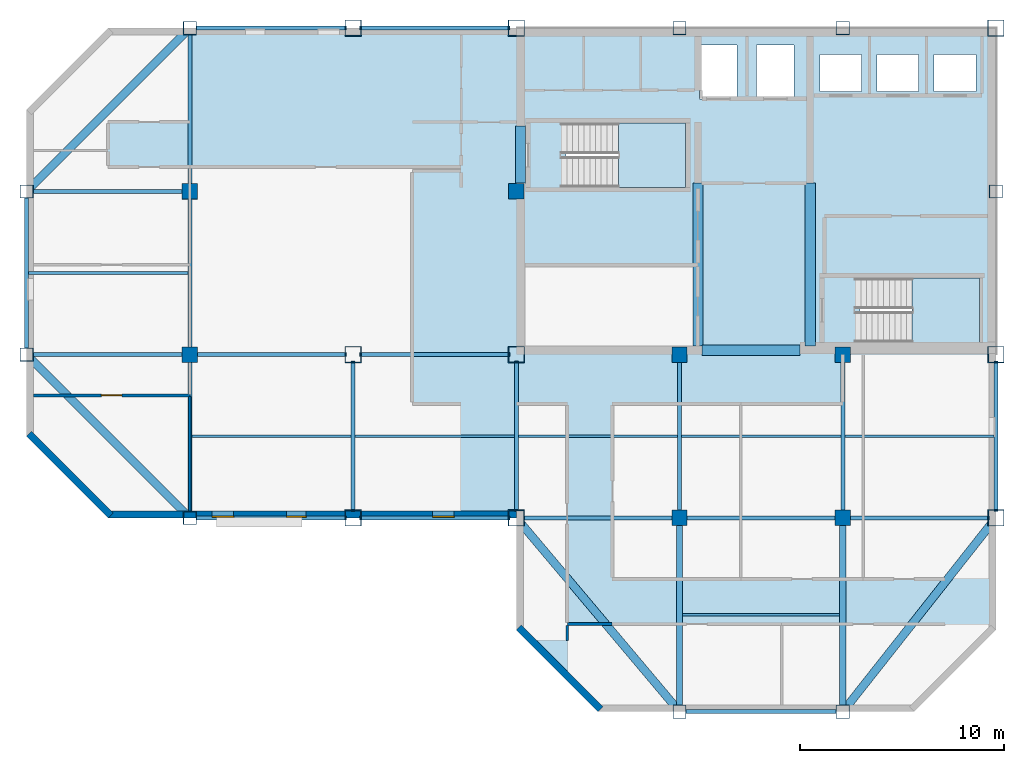
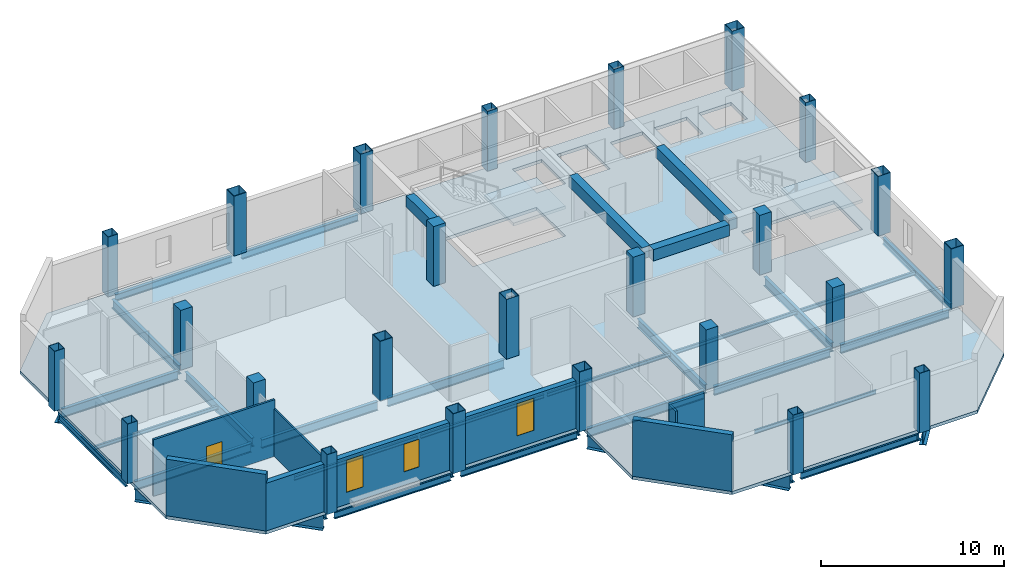
# One storey, part 1 of 7: 38 beams, 25 columns, 7 walls, 3 slabs, 3 windows, 1 door, 4 openings, 2 elements without a shape of their own.
"""IFC4 building model written with IfcOpenShell, lengths in metres."""

from ifc_helpers import new_model, si_unit, direction, frame, frame_2d, origin, origin_2d, place, context, subcontext, project, spatial, polyline, rectangle, hollow_rectangle, i_section, outline, extrude, material, layer, layer_set, material_profile, profile_set, type_object, element, fill, aggregate, save


model = new_model("IFC4")

# Units and contexts
model_context = context("Model", 3, precision=1e-05, world=origin(), true_north=direction((0.0, 1.0)))
body_context = subcontext(model_context, "Body", "Model", "MODEL_VIEW")
ifc_project = project(units=[si_unit("LENGTHUNIT", "METRE"), si_unit("AREAUNIT", "SQUARE_METRE"), si_unit("VOLUMEUNIT", "CUBIC_METRE"), si_unit("PLANEANGLEUNIT", "RADIAN"), si_unit("MASSUNIT", "GRAM", prefix="KILO")], contexts=[model_context])

# Site, building, storey
site_placement = place(None, origin())
site = spatial("IfcSite", under=ifc_project, at=site_placement, CompositionType="ELEMENT")
building_placement = place(site_placement, origin())
building = spatial("IfcBuilding", under=site, at=building_placement, Name="Qianrong Seaharbour Tower", CompositionType="ELEMENT")
storey_placement = place(building_placement, frame((0.0, 0.0, 335.199951171875)))
storey = spatial("IfcBuildingStorey", under=building, at=storey_placement, Name="L81", CompositionType="ELEMENT", Elevation=335.199951171875)

# Columns
ifc_material_1 = material(Name="Structural steel SN490B", Category="steel")
ifc_material_profile_1 = material_profile(ifc_material_1, hollow_rectangle(XDim=0.800048828125, YDim=0.800048828125, WallThickness=0.031982421875, at=origin_2d()), Name="BOX800x800x32")
ifc_profile_set_1 = profile_set([ifc_material_profile_1], Name="Structural steel SN490B")
column_type_1 = type_object("IfcColumnType", Name="COL-CFT-800", PredefinedType="COLUMN", material=ifc_profile_set_1)
for number, where, z_axis, x_axis, name in (
    (1, (32.5, 28.0, 0.0), (0.0, 0.0, 1.0), (1.0, 0.0, 0.0), "L81 Column MC-5 at G5/GE"),
    (2, (32.5, 36.0, 0.0), (0.0, 0.0, 1.0), (1.0, 0.0, 0.0), "L81 Column MC-5 at G5/GF"),
    (3, (32.5, 52.0, 0.0), (0.0, 0.0, 1.0), (1.0, 0.0, 0.0), "L81 Column MC-5 at G5/GH"),
    (4, (40.5, 28.0, 0.0), (0.0, 0.0, 1.0), (1.0, 0.0, 0.0), "L81 Column MC-5 at G6/GE"),
    (5, (40.5, 36.0, 0.0), (0.0, 0.0, 1.0), (1.0, 0.0, 0.0), "L81 Column MC-5 at G6/GF"),
    (6, (40.5, 52.0, 0.0), (0.0, 0.0, 1.0), (1.0, 0.0, 0.0), "L81 Column MC-5 at G6/GH"),
    (7, (64.0, 28.0, 0.0), (0.0, 0.0, 1.0), (1.0, 0.0, 0.0), "L81 Column MC-5 at G9/GE"),
    (8, (64.0, 36.0, 0.0), (0.0, 0.0, 1.0), (1.0, 0.0, 0.0), "L81 Column MC-5 at G9/GF"),
    (9, (64.0, 52.0, 0.0), (0.0, 0.0, 1.0), (1.0, 0.0, 0.0), "L81 Column MC-5 at G9/GH"),
):
    element("IfcColumn", number, at=place(storey_placement, frame(where, z_axis=z_axis, x_axis=x_axis)), inside=storey, type_object=column_type_1, Name=name, PredefinedType="COLUMN", context=body_context, shape_type="SweptSolid", body=[
        extrude(hollow_rectangle(XDim=0.800048828125, YDim=0.800048828125, WallThickness=0.031982421875, at=origin_2d()), origin(), (0.0, 0.0, 1.0), 4.0),
    ])
ifc_material_2 = material(Name="Concrete C50/60", Category="concrete")
ifc_material_profile_2 = material_profile(ifc_material_2, rectangle(XDim=0.75, YDim=0.75, at=origin_2d()), Name="RC750x750")
ifc_profile_set_2 = profile_set([ifc_material_profile_2], Name="Concrete C50/60")
column_type_2 = type_object("IfcColumnType", Name="COL-INT-RC750", PredefinedType="COLUMN", material=ifc_profile_set_2)
for number, where, z_axis, x_axis, name in (
    (10, (24.5, 36.0, 0.0), (0.0, 0.0, 1.0), (1.0, 0.0, 0.0), "L81 Column IC-4 at G4/GF"),
    (11, (24.5, 44.0, 0.0), (0.0, 0.0, 1.0), (1.0, 0.0, 0.0), "L81 Column IC-4 at G4/GG"),
    (12, (40.5, 44.0, 0.0), (0.0, 0.0, 1.0), (1.0, 0.0, 0.0), "L81 Column IC-4 at G6/GG"),
    (13, (48.5, 28.0, 0.0), (0.0, 0.0, 1.0), (1.0, 0.0, 0.0), "L81 Column IC-4 at G7/GE"),
    (14, (48.5, 36.0, 0.0), (0.0, 0.0, 1.0), (1.0, 0.0, 0.0), "L81 Column IC-4 at G7/GF"),
    (15, (56.5, 28.0, 0.0), (0.0, 0.0, 1.0), (1.0, 0.0, 0.0), "L81 Column IC-4 at G8/GE"),
    (16, (56.5, 36.0, 0.0), (0.0, 0.0, 1.0), (1.0, 0.0, 0.0), "L81 Column IC-4 at G8/GF"),
):
    element("IfcColumn", number, at=place(storey_placement, frame(where, z_axis=z_axis, x_axis=x_axis)), inside=storey, type_object=column_type_2, Name=name, PredefinedType="COLUMN", context=body_context, shape_type="SweptSolid", body=[
        extrude(rectangle(XDim=0.75, YDim=0.75, at=origin_2d()), origin(), (0.0, 0.0, 1.0), 4.0),
    ])
ifc_material_3 = material(Name="Structural steel SN400B", Category="steel")
ifc_material_profile_3 = material_profile(ifc_material_3, hollow_rectangle(XDim=0.64990234375, YDim=0.64990234375, WallThickness=0.028076171875, at=origin_2d()), Name="BOX650x650x28")
ifc_profile_set_3 = profile_set([ifc_material_profile_3], Name="Structural steel SN400B")
column_type_3 = type_object("IfcColumnType", Name="COL-PER-650", PredefinedType="COLUMN", material=ifc_profile_set_3)
for number, where, z_axis, x_axis, name in (
    (17, (16.5, 36.0, 0.0), (0.0, 0.0, 1.0), (1.0, 0.0, 0.0), "L81 Column PC-4 at G3/GF"),
    (18, (16.5, 44.0, 0.0), (0.0, 0.0, 1.0), (1.0, 0.0, 0.0), "L81 Column PC-4 at G3/GG"),
    (19, (24.5, 28.0, 0.0), (0.0, 0.0, 1.0), (1.0, 0.0, 0.0), "L81 Column PC-4 at G4/GE"),
    (20, (24.5, 52.0, 0.0), (0.0, 0.0, 1.0), (1.0, 0.0, 0.0), "L81 Column PC-4 at G4/GH"),
    (21, (48.5, 18.5, 0.0), (0.0, 0.0, 1.0), (1.0, 0.0, 0.0), "L81 Column PC-4 at G7/GD"),
    (22, (48.5, 52.0, 0.0), (0.0, 0.0, 1.0), (1.0, 0.0, 0.0), "L81 Column PC-4 at G7/GH"),
    (23, (56.5, 18.5, 0.0), (0.0, 0.0, 1.0), (1.0, 0.0, 0.0), "L81 Column PC-4 at G8/GD"),
    (24, (56.5, 52.0, 0.0), (0.0, 0.0, 1.0), (1.0, 0.0, 0.0), "L81 Column PC-4 at G8/GH"),
    (25, (64.0, 44.0, 0.0), (0.0, 0.0, 1.0), (1.0, 0.0, 0.0), "L81 Column PC-4 at G9/GG"),
):
    element("IfcColumn", number, at=place(storey_placement, frame(where, z_axis=z_axis, x_axis=x_axis)), inside=storey, type_object=column_type_3, Name=name, PredefinedType="COLUMN", context=body_context, shape_type="SweptSolid", body=[
        extrude(hollow_rectangle(XDim=0.64990234375, YDim=0.64990234375, WallThickness=0.028076171875, at=origin_2d()), origin(), (0.0, 0.0, 1.0), 4.0),
    ])

# Beams
ifc_material_profile_4 = material_profile(ifc_material_1, i_section(OverallWidth=0.199951171875, OverallDepth=0.60009765625, WebThickness=0.010986328125, FlangeThickness=0.01708984375, FilletRadius=0.02197265625, at=origin_2d()), Name="H600x200x11x17")
ifc_profile_set_4 = profile_set([ifc_material_profile_4], Name="Structural steel SN490B")
beam_type_1 = type_object("IfcBeamType", Name="BM-G-600", PredefinedType="BEAM", material=ifc_profile_set_4)
for number, where, z_axis, x_axis, name in (
    (26, (40.820068359375, 28.0, -0.514892578125), (1.0, 0.0, 0.0), (0.0, 1.0, 0.0), "L81 Primary Girder GE G6-G7"),
    (27, (48.820068359375, 28.0, -0.514892578125), (1.0, 0.0, 0.0), (0.0, 1.0, 0.0), "L81 Primary Girder GE G7-G8"),
):
    element("IfcBeam", number, at=place(storey_placement, frame(where, z_axis=z_axis, x_axis=x_axis)), inside=storey, type_object=beam_type_1, Name=name, PredefinedType="BEAM", context=body_context, shape_type="SweptSolid", body=[
        extrude(i_section(OverallWidth=0.199951171875, OverallDepth=0.60009765625, WebThickness=0.010986328125, FlangeThickness=0.01708984375, FilletRadius=0.02197265625, at=origin_2d()), origin(), (0.0, 0.0, 1.0), 7.35986328125),
    ])
beam_1_placement = place(storey_placement, frame((56.820068359375, 28.0, -0.514892578125), z_axis=(1.0, 0.0, 0.0), x_axis=(0.0, 1.0, 0.0)))
element("IfcBeam", 28, at=beam_1_placement, inside=storey, type_object=beam_type_1, Name="L81 Primary Girder GE G8-G9", PredefinedType="BEAM", context=body_context, shape_type="SweptSolid", body=[
    extrude(i_section(OverallWidth=0.199951171875, OverallDepth=0.60009765625, WebThickness=0.010986328125, FlangeThickness=0.01708984375, FilletRadius=0.02197265625, at=origin_2d()), origin(), (0.0, 0.0, 1.0), 6.85986328125),
])
for number, where, z_axis, x_axis, name in (
    (29, (16.820068359375, 36.0, -0.514892578125), (1.0, 0.0, 0.0), (0.0, 1.0, 0.0), "L81 Primary Girder GF G3-G4"),
    (30, (24.820068359375, 36.0, -0.514892578125), (1.0, 0.0, 0.0), (0.0, 1.0, 0.0), "L81 Primary Girder GF G4-G5"),
    (31, (32.820068359375, 36.0, -0.514892578125), (1.0, 0.0, 0.0), (0.0, 1.0, 0.0), "L81 Primary Girder GF G5-G6"),
    (32, (16.820068359375, 44.0, -0.514892578125), (1.0, 0.0, 0.0), (0.0, 1.0, 0.0), "L81 Primary Girder GG G3-G4"),
    (33, (24.5, 28.320068359375, -0.514892578125), (0.0, 1.0, 0.0), (-1.0, 0.0, 0.0), "L81 Primary Girder G4 GE-GF"),
    (34, (24.5, 36.320068359375, -0.514892578125), (0.0, 1.0, 0.0), (-1.0, 0.0, 0.0), "L81 Primary Girder G4 GF-GG"),
    (35, (24.5, 44.320068359375, -0.514892578125), (0.0, 1.0, 0.0), (-1.0, 0.0, 0.0), "L81 Primary Girder G4 GG-GH"),
    (36, (32.5, 28.320068359375, -0.514892578125), (0.0, 1.0, 0.0), (-1.0, 0.0, 0.0), "L81 Primary Girder G5 GE-GF"),
    (37, (40.5, 28.320068359375, -0.514892578125), (0.0, 1.0, 0.0), (-1.0, 0.0, 0.0), "L81 Primary Girder G6 GE-GF"),
    (38, (48.5, 28.320068359375, -0.514892578125), (0.0, 1.0, 0.0), (-1.0, 0.0, 0.0), "L81 Primary Girder G7 GE-GF"),
    (39, (56.5, 28.320068359375, -0.514892578125), (0.0, 1.0, 0.0), (-1.0, 0.0, 0.0), "L81 Primary Girder G8 GE-GF"),
):
    element("IfcBeam", number, at=place(storey_placement, frame(where, z_axis=z_axis, x_axis=x_axis)), inside=storey, type_object=beam_type_1, Name=name, PredefinedType="BEAM", context=body_context, shape_type="SweptSolid", body=[
        extrude(i_section(OverallWidth=0.199951171875, OverallDepth=0.60009765625, WebThickness=0.010986328125, FlangeThickness=0.01708984375, FilletRadius=0.02197265625, at=origin_2d()), origin(), (0.0, 0.0, 1.0), 7.35986328125),
    ])
ifc_material_profile_5 = material_profile(ifc_material_1, i_section(OverallWidth=0.300048828125, OverallDepth=0.800048828125, WebThickness=0.013916015625, FlangeThickness=0.02587890625, FilletRadius=0.028076171875, at=origin_2d()), Name="H800x300x14x26")
ifc_profile_set_5 = profile_set([ifc_material_profile_5], Name="Structural steel SN490B")
beam_type_2 = type_object("IfcBeamType", Name="BM-G-800", PredefinedType="BEAM", material=ifc_profile_set_5)
for number, where, z_axis, x_axis, name in (
    (40, (48.5, 18.820068359375, -0.614990234375), (0.0, 1.0, 0.0), (-1.0, 0.0, 0.0), "L81 Primary Girder G7 GD-GE"),
    (41, (56.5, 18.820068359375, -0.614990234375), (0.0, 1.0, 0.0), (-1.0, 0.0, 0.0), "L81 Primary Girder G8 GD-GE"),
):
    element("IfcBeam", number, at=place(storey_placement, frame(where, z_axis=z_axis, x_axis=x_axis)), inside=storey, type_object=beam_type_2, Name=name, PredefinedType="BEAM", context=body_context, shape_type="SweptSolid", body=[
        extrude(i_section(OverallWidth=0.300048828125, OverallDepth=0.800048828125, WebThickness=0.013916015625, FlangeThickness=0.02587890625, FilletRadius=0.028076171875, at=origin_2d()), origin(), (0.0, 0.0, 1.0), 8.85986328125),
    ])
ifc_material_profile_6 = material_profile(ifc_material_3, i_section(OverallWidth=0.125, OverallDepth=0.25, WebThickness=0.006103515625, FlangeThickness=0.009033203125, FilletRadius=0.011962890625, at=origin_2d()), Name="H250x125x6x9")
ifc_profile_set_6 = profile_set([ifc_material_profile_6], Name="Structural steel SN400B")
beam_type_3 = type_object("IfcBeamType", Name="BM-J-250", PredefinedType="JOIST", material=ifc_profile_set_6)
for number, where, z_axis, x_axis, name in (
    (42, (16.60009765625, 40.0, -0.33984375), (1.0, 0.0, 0.0), (0.0, 1.0, 0.0), "L81 Composite Floor Joist G3-G4/GF-GG"),
    (43, (24.60009765625, 32.0, -0.33984375), (1.0, 0.0, 0.0), (0.0, 1.0, 0.0), "L81 Composite Floor Joist G4-G5/GE-GF"),
    (44, (32.60009765625, 32.0, -0.33984375), (1.0, 0.0, 0.0), (0.0, 1.0, 0.0), "L81 Composite Floor Joist G5-G6/GE-GF"),
    (45, (40.60009765625, 32.0, -0.33984375), (1.0, 0.0, 0.0), (0.0, 1.0, 0.0), "L81 Composite Floor Joist G6-G7/GE-GF"),
):
    element("IfcBeam", number, at=place(storey_placement, frame(where, z_axis=z_axis, x_axis=x_axis)), inside=storey, type_object=beam_type_3, Name=name, PredefinedType="JOIST", context=body_context, shape_type="SweptSolid", body=[
        extrude(i_section(OverallWidth=0.125, OverallDepth=0.25, WebThickness=0.006103515625, FlangeThickness=0.009033203125, FilletRadius=0.011962890625, at=origin_2d()), origin(), (0.0, 0.0, 1.0), 7.7998046875),
    ])
beam_2_placement = place(storey_placement, frame((48.64990234375, 23.25, -0.33984375), z_axis=(1.0, 0.0, 0.0), x_axis=(0.0, 1.0, 0.0)))
element("IfcBeam", 46, at=beam_2_placement, inside=storey, type_object=beam_type_3, Name="L81 Composite Floor Joist G7-G8/GD-GE", PredefinedType="JOIST", context=body_context, shape_type="SweptSolid", body=[
    extrude(i_section(OverallWidth=0.125, OverallDepth=0.25, WebThickness=0.006103515625, FlangeThickness=0.009033203125, FilletRadius=0.011962890625, at=origin_2d()), origin(), (0.0, 0.0, 1.0), 7.7001953125),
])
beam_3_placement = place(storey_placement, frame((48.60009765625, 32.0, -0.33984375), z_axis=(1.0, 0.0, 0.0), x_axis=(0.0, 1.0, 0.0)))
element("IfcBeam", 47, at=beam_3_placement, inside=storey, type_object=beam_type_3, Name="L81 Composite Floor Joist G7-G8/GE-GF", PredefinedType="JOIST", context=body_context, shape_type="SweptSolid", body=[
    extrude(i_section(OverallWidth=0.125, OverallDepth=0.25, WebThickness=0.006103515625, FlangeThickness=0.009033203125, FilletRadius=0.011962890625, at=origin_2d()), origin(), (0.0, 0.0, 1.0), 7.7998046875),
])
beam_4_placement = place(storey_placement, frame((56.60009765625, 32.0, -0.33984375), z_axis=(1.0, 0.0, 0.0), x_axis=(0.0, 1.0, 0.0)))
element("IfcBeam", 48, at=beam_4_placement, inside=storey, type_object=beam_type_3, Name="L81 Composite Floor Joist G8-G9/GE-GF", PredefinedType="JOIST", context=body_context, shape_type="SweptSolid", body=[
    extrude(i_section(OverallWidth=0.125, OverallDepth=0.25, WebThickness=0.006103515625, FlangeThickness=0.009033203125, FilletRadius=0.011962890625, at=origin_2d()), origin(), (0.0, 0.0, 1.0), 7.2998046875),
])
ifc_material_4 = material(Name="Concrete C60/75", Category="concrete")
ifc_material_profile_7 = material_profile(ifc_material_4, rectangle(XDim=0.5, YDim=0.75, at=origin_2d()), Name="RC500x750")
ifc_profile_set_7 = profile_set([ifc_material_profile_7], Name="Concrete C60/75")
beam_type_4 = type_object("IfcBeamType", Name="BM-LINTEL-750", PredefinedType="LINTEL", material=ifc_profile_set_7)
beam_5_placement = place(storey_placement, frame((40.7099609375, 44.39990234375, 3.41015625), z_axis=(0.0, 1.0, 0.0), x_axis=(-1.0, 0.0, 0.0)))
element("IfcBeam", 49, at=beam_5_placement, inside=storey, type_object=beam_type_4, Name="L81 Core Coupling Lintel Beam West", PredefinedType="LINTEL", context=body_context, shape_type="SweptSolid", body=[
    extrude(rectangle(XDim=0.5, YDim=0.75, at=origin_2d()), origin(), (0.0, 0.0, 1.0), 2.800048828125),
])
beam_6_placement = place(storey_placement, frame((49.60009765625, 36.2099609375, 3.41015625), z_axis=(1.0, 0.0, 0.0), x_axis=(0.0, 1.0, 0.0)))
element("IfcBeam", 50, at=beam_6_placement, inside=storey, type_object=beam_type_4, Name="L81 Core Coupling Lintel Beam CBC", PredefinedType="LINTEL", context=body_context, shape_type="SweptSolid", body=[
    extrude(rectangle(XDim=0.5, YDim=0.75, at=origin_2d()), origin(), (0.0, 0.0, 1.0), 4.7998046875),
])
for number, where, z_axis, x_axis, name in (
    (51, (49.39990234375, 36.419921875, 3.41015625), (0.0, 1.0, 0.0), (-1.0, 0.0, 0.0), "L81 Internal Core Coupling Beam IW1"),
    (52, (54.89990234375, 36.419921875, 3.41015625), (0.0, 1.0, 0.0), (-1.0, 0.0, 0.0), "L81 Internal Core Coupling Beam IW2"),
):
    element("IfcBeam", number, at=place(storey_placement, frame(where, z_axis=z_axis, x_axis=x_axis)), inside=storey, type_object=beam_type_4, Name=name, PredefinedType="LINTEL", context=body_context, shape_type="SweptSolid", body=[
        extrude(rectangle(XDim=0.5, YDim=0.75, at=origin_2d()), origin(), (0.0, 0.0, 1.0), 7.97998046875),
    ])
ifc_material_profile_8 = material_profile(ifc_material_3, i_section(OverallWidth=0.199951171875, OverallDepth=0.449951171875, WebThickness=0.009033203125, FlangeThickness=0.013916015625, FilletRadius=0.01806640625, at=origin_2d()), Name="H450x200x9x14")
ifc_profile_set_8 = profile_set([ifc_material_profile_8], Name="Structural steel SN400B")
beam_type_5 = type_object("IfcBeamType", Name="BM-SP-450", PredefinedType="SPANDREL", material=ifc_profile_set_8)
for number, where, z_axis, x_axis, name in (
    (53, (48.820068359375, 18.5, -0.43994140625), (1.0, 0.0, 0.0), (0.0, 1.0, 0.0), "L81 Spandrel Girder GD G7-G8"),
    (54, (24.820068359375, 28.0, -0.43994140625), (1.0, 0.0, 0.0), (0.0, 1.0, 0.0), "L81 Spandrel Girder GE G4-G5"),
    (55, (32.820068359375, 28.0, -0.43994140625), (1.0, 0.0, 0.0), (0.0, 1.0, 0.0), "L81 Spandrel Girder GE G5-G6"),
    (56, (24.820068359375, 52.0, -0.43994140625), (1.0, 0.0, 0.0), (0.0, 1.0, 0.0), "L81 Spandrel Girder GH G4-G5"),
    (57, (32.820068359375, 52.0, -0.43994140625), (1.0, 0.0, 0.0), (0.0, 1.0, 0.0), "L81 Spandrel Girder GH G5-G6"),
    (58, (16.5, 36.320068359375, -0.43994140625), (0.0, 1.0, 0.0), (-1.0, 0.0, 0.0), "L81 Spandrel Girder G3 GF-GG"),
    (59, (64.0, 28.320068359375, -0.43994140625), (0.0, 1.0, 0.0), (-1.0, 0.0, 0.0), "L81 Spandrel Girder G9 GE-GF"),
):
    element("IfcBeam", number, at=place(storey_placement, frame(where, z_axis=z_axis, x_axis=x_axis)), inside=storey, type_object=beam_type_5, Name=name, PredefinedType="SPANDREL", context=body_context, shape_type="SweptSolid", body=[
        extrude(i_section(OverallWidth=0.199951171875, OverallDepth=0.449951171875, WebThickness=0.009033203125, FlangeThickness=0.013916015625, FilletRadius=0.01806640625, at=origin_2d()), origin(), (0.0, 0.0, 1.0), 7.35986328125),
    ])
ifc_material_profile_9 = material_profile(ifc_material_1, i_section(OverallWidth=0.39990234375, OverallDepth=1.10009765625, WebThickness=0.02001953125, FlangeThickness=0.035888671875, at=origin_2d()), Name="BH1100x400x20x36")
ifc_profile_set_9 = profile_set([ifc_material_profile_9], Name="Structural steel SN490B")
beam_type_6 = type_object("IfcBeamType", Name="BM-TG-1100", PredefinedType="BEAM", material=ifc_profile_set_9)
for number, where, z_axis, x_axis, name in (
    (60, (24.273681640625, 28.226318359375, -0.764892578125), (-0.707106781187, 0.707106781187, 0.0), (-0.707106781187, -0.707106781187, 0.0), "L81 Chamfer Corner Spandrel Girder G3/GE"),
    (61, (24.273681640625, 51.773681640625, -0.764892578125), (-0.707106781187, -0.707106781187, 0.0), (0.707106781187, -0.707106781187, 0.0), "L81 Chamfer Corner Spandrel Girder G3/GH"),
):
    element("IfcBeam", number, at=place(storey_placement, frame(where, z_axis=z_axis, x_axis=x_axis)), inside=storey, type_object=beam_type_6, Name=name, PredefinedType="BEAM", context=body_context, shape_type="SweptSolid", body=[
        extrude(i_section(OverallWidth=0.39990234375, OverallDepth=1.10009765625, WebThickness=0.02001953125, FlangeThickness=0.035888671875, at=origin_2d()), origin(), (0.0, 0.0, 1.0), 10.673583984375),
    ])
beam_7_placement = place(storey_placement, frame((48.2939453125, 18.744873046875, -0.764892578125), z_axis=(-0.644151063101, 0.764898299061, 0.0), x_axis=(-0.764898299061, -0.644151063101, 0.0)))
element("IfcBeam", 62, at=beam_7_placement, inside=storey, type_object=beam_type_6, Name="L81 Chamfer Corner Spandrel Girder G6/GD", PredefinedType="BEAM", context=body_context, shape_type="SweptSolid", body=[
    extrude(i_section(OverallWidth=0.39990234375, OverallDepth=1.10009765625, WebThickness=0.02001953125, FlangeThickness=0.035888671875, at=origin_2d()), origin(), (0.0, 0.0, 1.0), 11.77978515625),
])
beam_8_placement = place(storey_placement, frame((56.6982421875, 18.751220703125, -0.764892578125), z_axis=(0.619653955715, 0.784875133487, 0.0), x_axis=(-0.784875133487, 0.619653955715, 0.0)))
element("IfcBeam", 63, at=beam_8_placement, inside=storey, type_object=beam_type_6, Name="L81 Chamfer Corner Spandrel Girder G9/GD", PredefinedType="BEAM", context=body_context, shape_type="SweptSolid", body=[
    extrude(i_section(OverallWidth=0.39990234375, OverallDepth=1.10009765625, WebThickness=0.02001953125, FlangeThickness=0.035888671875, at=origin_2d()), origin(), (0.0, 0.0, 1.0), 11.463623046875),
])

# Stair, slab
stair_type = type_object("IfcStairType", Name="STAIR-DOGLEG-1500-R22", PredefinedType="HALF_TURN_STAIR", material=ifc_material_2)
stair_1_placement = place(storey_placement, origin())
stair_1 = element("IfcStair", 64, at=stair_1_placement, inside=storey, type_object=stair_type, Name="L81 Protected Escape Stair ST-1", PredefinedType="HALF_TURN_STAIR")
ifc_layer_1 = layer(ifc_material_2, 0.199951171875)
ifc_layer_set_1 = layer_set([ifc_layer_1], Name="Concrete C50/60")
slab_type_1 = type_object("IfcSlabType", Name="SLAB-STAIR-LANDING-200", PredefinedType="LANDING", material=ifc_layer_set_1)
slab_1_placement = place(storey_placement, frame((0.0, 0.0, 1.800048828125)))
slab_1 = element("IfcSlab", 65, at=slab_1_placement, type_object=slab_type_1, Name="ST-1 landing 1", PredefinedType="LANDING", context=body_context, shape_type="SweptSolid", body=[
    extrude(outline(polyline([(45.5, 44.199951171875), (48.800048828125, 44.199951171875), (48.800048828125, 47.35009765625), (45.5, 47.35009765625), (45.5, 44.199951171875)])), origin(), (0.0, 0.0, 1.0), 0.199951171875),
])
aggregate(stair_1, [slab_1])

stair_2_placement = place(storey_placement, origin())
stair_2 = element("IfcStair", 66, at=stair_2_placement, inside=storey, type_object=stair_type, Name="L81 Protected Escape Stair ST-2", PredefinedType="HALF_TURN_STAIR")
slab_2_placement = place(storey_placement, frame((0.0, 0.0, 1.800048828125)))
slab_2 = element("IfcSlab", 67, at=slab_2_placement, type_object=slab_type_1, Name="ST-2 landing 1", PredefinedType="LANDING", context=body_context, shape_type="SweptSolid", body=[
    extrude(outline(polyline([(59.89990234375, 36.60009765625), (63.199951171875, 36.60009765625), (63.199951171875, 39.75), (59.89990234375, 39.75), (59.89990234375, 36.60009765625)])), origin(), (0.0, 0.0, 1.0), 0.199951171875),
])
aggregate(stair_2, [slab_2])

# Slab
ifc_layer_2 = layer(ifc_material_2, 0.215087890625)
ifc_layer_set_2 = layer_set([ifc_layer_2], Name="Concrete C50/60")
slab_type_2 = type_object("IfcSlabType", Name="SLAB-Z4-215", PredefinedType="FLOOR", material=ifc_layer_set_2)
slab_3_placement = place(storey_placement, frame((0.0, 0.0, -0.21484375)))
element("IfcSlab", 68, at=slab_3_placement, inside=storey, type_object=slab_type_2, Name="L81 Structural Floor Slab", PredefinedType="FLOOR", context=body_context, shape_type="SweptSolid", body=[
    extrude(outline(polyline([(44.5, 18.5), (60.0, 18.5), (64.0, 22.5), (64.0, 52.0), (20.5, 52.0), (16.5, 48.0), (16.5, 32.0), (20.5, 28.0), (40.5, 28.0), (40.5, 22.5), (44.5, 18.5)]), holes=[polyline([(42.93994140625, 44.199951171875), (42.93994140625, 47.35009765625), (48.800048828125, 47.35009765625), (48.800048828125, 44.199951171875), (42.93994140625, 44.199951171875)]), polyline([(57.340087890625, 36.60009765625), (57.340087890625, 39.75), (63.199951171875, 39.75), (63.199951171875, 36.60009765625), (57.340087890625, 36.60009765625)]), polyline([(49.47998046875, 48.530029296875), (49.47998046875, 51.169921875), (51.320068359375, 51.169921875), (51.320068359375, 48.530029296875), (49.47998046875, 48.530029296875)]), polyline([(52.280029296875, 48.530029296875), (52.280029296875, 51.169921875), (54.1201171875, 51.169921875), (54.1201171875, 48.530029296875), (52.280029296875, 48.530029296875)]), polyline([(55.3798828125, 48.89990234375), (55.3798828125, 50.699951171875), (57.419921875, 50.699951171875), (57.419921875, 48.89990234375), (55.3798828125, 48.89990234375)]), polyline([(58.179931640625, 48.89990234375), (58.179931640625, 50.699951171875), (60.219970703125, 50.699951171875), (60.219970703125, 48.89990234375), (58.179931640625, 48.89990234375)]), polyline([(60.97998046875, 48.89990234375), (60.97998046875, 50.699951171875), (63.02001953125, 50.699951171875), (63.02001953125, 48.89990234375), (60.97998046875, 48.89990234375)])]), origin(), (0.0, 0.0, 1.0), 0.21484375),
])

# Walls
ifc_material_5 = material(Name="Fire-rated acoustic gypsum board partition")
ifc_layer_3 = layer(ifc_material_5, 0.1650390625)
ifc_layer_set_3 = layer_set([ifc_layer_3], Name="Fire-rated acoustic gypsum board partition")
wall_type_1 = type_object("IfcWallType", Name="WALL-CORR-PART-165", PredefinedType="PARTITIONING", material=ifc_layer_set_3)
wall_1_placement = place(storey_placement, frame((45.199951171875, 22.800048828125, 0.0), z_axis=(0.0, 0.0, 1.0), x_axis=(-1.0, 0.0, 0.0)))
element("IfcWall", 69, at=wall_1_placement, inside=storey, type_object=wall_type_1, Name="L81 Interior Partition Wall 031", PredefinedType="PARTITIONING", context=body_context, shape_type="SweptSolid", body=[
    extrude(rectangle(XDim=2.199951171875, YDim=0.1650390625, at=frame_2d((1.10009765625, 0.0))), origin(), (0.0, 0.0, 1.0), 3.78515625),
])
ifc_material_6 = material(Name="Demountable aluminium-framed acoustic office partition", Category="aluminium")
ifc_layer_4 = layer(ifc_material_6, 0.110107421875)
ifc_layer_set_4 = layer_set([ifc_layer_4], Name="Demountable aluminium-framed acoustic office partition")
wall_type_2 = type_object("IfcWallType", Name="WALL-DEMOUNT-110", PredefinedType="MOVABLE", material=ifc_layer_set_4)
wall_2_placement = place(storey_placement, frame((24.5, 28.33203125, 0.0), z_axis=(0.0, 0.0, 1.0), x_axis=(0.0, 1.0, 0.0)))
element("IfcWall", 70, at=wall_2_placement, inside=storey, type_object=wall_type_2, Name="L81 Interior Partition Wall 037", PredefinedType="MOVABLE", context=body_context, shape_type="SweptSolid", body=[
    extrude(rectangle(XDim=5.611083984375, YDim=0.110107421875, at=frame_2d((2.8056640625, 0.0))), origin(), (0.0, 0.0, 1.0), 3.177001953125),
])
wall_3_placement = place(storey_placement, frame((43.0, 22.7255859375, 0.0), z_axis=(0.0, 0.0, 1.0), x_axis=(0.0, -1.0, 0.0)))
element("IfcWall", 71, at=wall_3_placement, inside=storey, type_object=wall_type_2, Name="L81 Interior Partition Wall 045", PredefinedType="MOVABLE", context=body_context, shape_type="SweptSolid", body=[
    extrude(rectangle(XDim=0.7255859375, YDim=0.110107421875, at=frame_2d((0.36279296875, 0.0))), origin(), (0.0, 0.0, 1.0), 3.78515625),
])

# Wall, openings, windows
ifc_material_7 = material(Name="Unitised buff brick on Precast concrete C45/55", Category="masonry")
ifc_layer_5 = layer(ifc_material_7, 0.340087890625)
ifc_layer_set_5 = layer_set([ifc_layer_5], Name="Unitised buff brick on Precast concrete C45/55")
wall_type_3 = type_object("IfcWallType", Name="WALL-EXT-BRICK-BUFF-340", PredefinedType="SOLIDWALL", material=ifc_layer_set_5)
wall_4_placement = place(storey_placement, frame((40.52001953125, 28.169921875, 0.0), z_axis=(0.0, 0.0, 1.0), x_axis=(-1.0, 0.0, 0.0)))
wall_4 = element("IfcWall", 72, at=wall_4_placement, inside=storey, type_object=wall_type_3, Name="L81 Exterior Masonry Facade Wall HARBOUR_RIBBON", PredefinedType="SOLIDWALL", context=body_context, shape_type="SweptSolid", body=[
    extrude(rectangle(XDim=20.02001953125, YDim=0.340087890625, at=frame_2d((10.010009765625, 0.0))), origin(), (0.0, 0.0, 1.0), 3.18505859375),
])
opening_1_placement = place(wall_4_placement, frame((3.074951171875, 0.0, 0.800048828125)))
opening_1 = element("IfcOpeningElement", 73, at=opening_1_placement, cuts=wall_4, Name="Opening WN-14", PredefinedType="OPENING", context=body_context, shape_type="SweptSolid", body=[
    extrude(rectangle(XDim=1.050048828125, YDim=2.14990234375, at=frame_2d((0.52490234375, 1.074951171875))), frame((0.0, 0.18017578125, 0.0), z_axis=(0.0, -1.0, 0.0), x_axis=(1.0, 0.0, 0.0)), (0.0, 0.0, 1.0), 0.360107421875),
])
opening_2_placement = place(wall_4_placement, frame((10.324951171875, 0.0, 0.89990234375)))
opening_2 = element("IfcOpeningElement", 74, at=opening_2_placement, cuts=wall_4, Name="Opening WN-13", PredefinedType="OPENING", context=body_context, shape_type="SweptSolid", body=[
    extrude(rectangle(XDim=0.949951171875, YDim=1.85009765625, at=frame_2d((0.47509765625, 0.925048828125))), frame((0.0, 0.18017578125, 0.0), z_axis=(0.0, -1.0, 0.0), x_axis=(1.0, 0.0, 0.0)), (0.0, 0.0, 1.0), 0.360107421875),
])
opening_3_placement = place(wall_4_placement, frame((13.875, 0.0, 0.800048828125)))
opening_3 = element("IfcOpeningElement", 75, at=opening_3_placement, cuts=wall_4, Name="Opening WN-14", PredefinedType="OPENING", context=body_context, shape_type="SweptSolid", body=[
    extrude(rectangle(XDim=1.050048828125, YDim=2.14990234375, at=frame_2d((0.52490234375, 1.074951171875))), frame((0.0, 0.18017578125, 0.0), z_axis=(0.0, -1.0, 0.0), x_axis=(1.0, 0.0, 0.0)), (0.0, 0.0, 1.0), 0.360107421875),
])
ifc_material_8 = material(Name="Insulated low-e double glazing in thermally broken aluminium 6063-T6 frame", Category="aluminium")
window_type_1 = type_object("IfcWindowType", Name="WIN-NARROW-1050x2150", PartitioningType="SINGLE_PANEL", PredefinedType="WINDOW", material=ifc_material_8)
window_1_placement = place(opening_1_placement, origin())
window_1 = element("IfcWindow", 76, at=window_1_placement, inside=storey, type_object=window_type_1, Name="L81 Deep-Set Punched Window 01.01", OverallHeight=2.14990234375, OverallWidth=1.050048828125, PartitioningType="SINGLE_PANEL", PredefinedType="WINDOW", context=body_context, shape_type="SweptSolid", body=[
    extrude(rectangle(XDim=1.050048828125, YDim=2.14990234375, at=frame_2d((0.52490234375, 1.074951171875))), frame((0.0, 0.150146484375, 0.0), z_axis=(0.0, -1.0, 0.0), x_axis=(1.0, 0.0, 0.0)), (0.0, 0.0, 1.0), 0.06005859375),
])
fill(opening_1, window_1)
window_2_placement = place(opening_3_placement, origin())
window_2 = element("IfcWindow", 77, at=window_2_placement, inside=storey, type_object=window_type_1, Name="L81 Deep-Set Punched Window 01.04", OverallHeight=2.14990234375, OverallWidth=1.050048828125, PartitioningType="SINGLE_PANEL", PredefinedType="WINDOW", context=body_context, shape_type="SweptSolid", body=[
    extrude(rectangle(XDim=1.050048828125, YDim=2.14990234375, at=frame_2d((0.52490234375, 1.074951171875))), frame((0.0, 0.150146484375, 0.0), z_axis=(0.0, -1.0, 0.0), x_axis=(1.0, 0.0, 0.0)), (0.0, 0.0, 1.0), 0.06005859375),
])
fill(opening_3, window_2)
window_type_2 = type_object("IfcWindowType", Name="WIN-NARROW-950x1850", PartitioningType="SINGLE_PANEL", PredefinedType="WINDOW", material=ifc_material_8)
window_3_placement = place(opening_2_placement, origin())
window_3 = element("IfcWindow", 78, at=window_3_placement, inside=storey, type_object=window_type_2, Name="L81 Deep-Set Punched Window 01.03", OverallHeight=1.85009765625, OverallWidth=0.949951171875, PartitioningType="SINGLE_PANEL", PredefinedType="WINDOW", context=body_context, shape_type="SweptSolid", body=[
    extrude(rectangle(XDim=0.949951171875, YDim=1.85009765625, at=frame_2d((0.47509765625, 0.925048828125))), frame((0.0, 0.150146484375, 0.0), z_axis=(0.0, -1.0, 0.0), x_axis=(1.0, 0.0, 0.0)), (0.0, 0.0, 1.0), 0.06005859375),
])
fill(opening_2, window_3)

# Walls
for number, where, z_axis, x_axis, name in (
    (79, (20.6201171875, 28.1201171875, 0.0), (0.0, 0.0, 1.0), (-0.707106781187, 0.707106781187, 0.0), "L81 Exterior Masonry Facade Wall E02"),
    (80, (44.6201171875, 18.6201171875, 0.0), (0.0, 0.0, 1.0), (-0.707106781187, 0.707106781187, 0.0), "L81 Exterior Masonry Facade Wall E09"),
):
    element("IfcWall", number, at=place(storey_placement, frame(where, z_axis=z_axis, x_axis=x_axis)), inside=storey, type_object=wall_type_3, Name=name, PredefinedType="SOLIDWALL", context=body_context, shape_type="SweptSolid", body=[
        extrude(rectangle(XDim=5.65673828125, YDim=0.340087890625, at=frame_2d((2.828369140625, 0.0))), origin(), (0.0, 0.0, 1.0), 3.78515625),
    ])

# Wall, opening, door
ifc_material_9 = material(Name="Water-resistant cement board sanitary partition")
ifc_layer_6 = layer(ifc_material_9, 0.1298828125)
ifc_layer_set_6 = layer_set([ifc_layer_6], Name="Water-resistant cement board sanitary partition")
wall_type_4 = type_object("IfcWallType", Name="WALL-WET-PART-130", PredefinedType="PARTITIONING", material=ifc_layer_set_6)
wall_5_placement = place(storey_placement, frame((16.83203125, 34.0, 0.0), z_axis=(0.0, 0.0, 1.0), x_axis=(1.0, 0.0, 0.0)))
wall_5 = element("IfcWall", 81, at=wall_5_placement, inside=storey, type_object=wall_type_4, Name="L81 Interior Partition Wall 040", PredefinedType="PARTITIONING", context=body_context, shape_type="SweptSolid", body=[
    extrude(rectangle(XDim=7.66796875, YDim=0.1298828125, at=frame_2d((3.833984375, 0.0))), origin(), (0.0, 0.0, 1.0), 3.78515625),
])
opening_4_placement = place(wall_5_placement, frame((3.333984375, 0.0, 0.0)))
opening_4 = element("IfcOpeningElement", 82, at=opening_4_placement, cuts=wall_5, Name="Opening DO-01", PredefinedType="OPENING", context=body_context, shape_type="SweptSolid", body=[
    extrude(rectangle(XDim=1.0, YDim=2.14990234375, at=frame_2d((0.5, 1.074951171875))), frame((0.0, 0.074951171875, 0.0), z_axis=(0.0, -1.0, 0.0), x_axis=(1.0, 0.0, 0.0)), (0.0, 0.0, 1.0), 0.14990234375),
])
ifc_material_10 = material(Name="Acoustic timber and galvanized steel fire door assembly", Category="steel")
door_type = type_object("IfcDoorType", Name="DOOR-OFFICE-1000x2150", OperationType="NOTDEFINED", PredefinedType="DOOR", material=ifc_material_10)
door_placement = place(opening_4_placement, origin())
door = element("IfcDoor", 83, at=door_placement, inside=storey, type_object=door_type, Name="L81 Harbour Sunset Lounge 1 Door", OperationType="SINGLE_SWING_LEFT", OverallHeight=2.14990234375, OverallWidth=1.0, PredefinedType="DOOR", context=body_context, shape_type="SweptSolid", body=[
    extrude(rectangle(XDim=1.0, YDim=2.14990234375, at=frame_2d((0.5, 1.074951171875))), frame((0.0, 0.02490234375, 0.0), z_axis=(0.0, -1.0, 0.0), x_axis=(1.0, 0.0, 0.0)), (0.0, 0.0, 1.0), 0.050048828125),
])
fill(opening_4, door)

save(model, "model.ifc")
